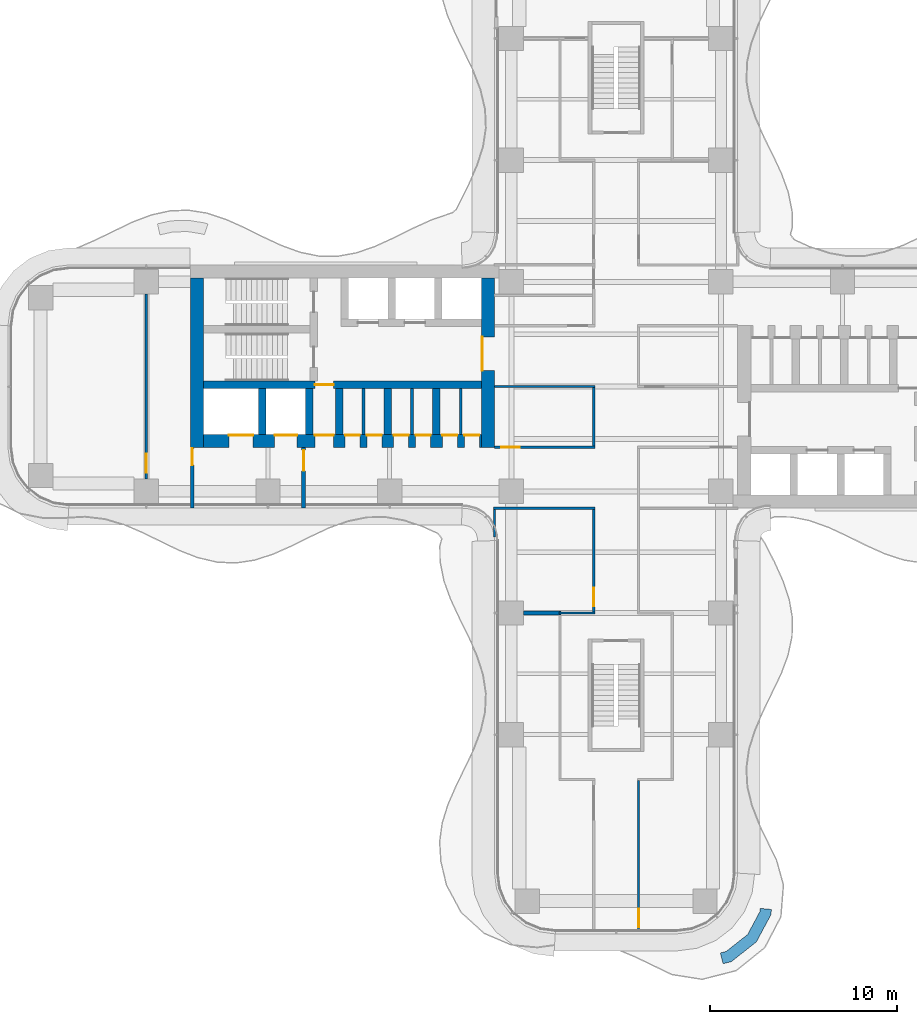
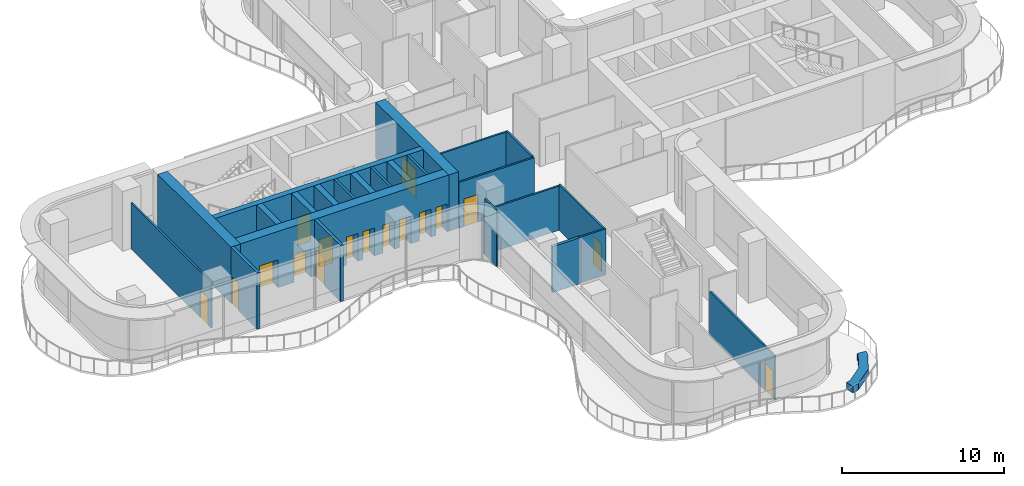
# One storey, part 18 of 23: 25 walls, 17 doors, 17 openings.
"""IFC4 building model written with IfcOpenShell, lengths in metres."""

from ifc_helpers import new_model, si_unit, direction, frame, frame_2d, origin, place, context, subcontext, project, spatial, polyline, rectangle, outline, extrude, source, transform, mapped, material, layer, layer_set, type_object, element, fill, save


model = new_model("IFC4")

# Units and contexts
model_context = context("Model", 3, precision=1e-05, world=origin(), true_north=direction((0.0, 1.0)))
body_context = subcontext(model_context, "Body", "Model", "MODEL_VIEW")
ifc_project = project(units=[si_unit("LENGTHUNIT", "METRE"), si_unit("AREAUNIT", "SQUARE_METRE"), si_unit("VOLUMEUNIT", "CUBIC_METRE"), si_unit("PLANEANGLEUNIT", "RADIAN"), si_unit("MASSUNIT", "GRAM", prefix="KILO")], contexts=[model_context])

# Site, building, storey
site_placement = place(None, origin())
site = spatial("IfcSite", under=ifc_project, at=site_placement, CompositionType="ELEMENT")
building_placement = place(site_placement, origin())
building = spatial("IfcBuilding", under=site, at=building_placement, Name="Trellis Farm Tower", CompositionType="ELEMENT")
storey_placement = place(building_placement, frame((0.0, 0.0, 120.0)))
storey = spatial("IfcBuildingStorey", under=building, at=storey_placement, Name="L25", CompositionType="ELEMENT", Elevation=120.0)

# Wall
ifc_material_1 = material(Name="Sandstone faced masonry planter", Category="masonry")
ifc_layer_1 = layer(ifc_material_1, 0.60009765625)
ifc_layer_set_1 = layer_set([ifc_layer_1], Name="PLANTER BED 600")
wall_type_1 = type_object("IfcWallType", Name="PLANTER BED 600", PredefinedType="USERDEFINED", material=ifc_layer_set_1)
wall_1_placement = place(storey_placement, origin())
element("IfcWall", 1, at=wall_1_placement, inside=storey, type_object=wall_type_1, Name="PLANTER bed", ObjectType="PLANTER", PredefinedType="USERDEFINED", context=body_context, shape_type="SweptSolid", body=[
    extrude(outline(polyline([(7.49853515625, -29.673583984375), (6.1552734375, -30.734375), (5.717041015625, -30.843505859375), (5.572265625, -30.26123046875), (5.885009765625, -30.183349609375), (7.028564453125, -29.2802734375), (7.688232421875, -28.0478515625), (7.70263671875, -27.887451171875), (8.30029296875, -27.940673828125), (8.275146484375, -28.22314453125), (7.49853515625, -29.673583984375)])), origin(), (0.0, 0.0, 1.0), 0.5),
])

# Wall, opening, door
ifc_material_2 = material(Name="Concrete C70/85", Category="concrete")
ifc_layer_2 = layer(ifc_material_2, 0.699951171875)
ifc_layer_set_2 = layer_set([ifc_layer_2], Name="CORE OUTER WALL 700 CONCRETE C70/85")
wall_type_2 = type_object("IfcWallType", Name="CORE OUTER WALL 700 CONCRETE C70/85", PredefinedType="SHEAR", material=ifc_layer_set_2)
shared_shape_1 = source(origin(), body_context, "Body", "SweptSolid", [
    extrude(rectangle(XDim=9.050048828125, YDim=0.699951171875, at=frame_2d((4.52490234375, 0.0))), origin(), (0.0, 0.0, 1.0), 4.25),
])
wall_2_placement = place(storey_placement, frame((-6.85009765625, 5.800048828125, 0.0), z_axis=(0.0, 0.0, 1.0), x_axis=(0.0, -1.0, 0.0)))
wall_2 = element("IfcWall", 2, at=wall_2_placement, inside=storey, type_object=wall_type_2, Name="Core wall", PredefinedType="SHEAR", context=body_context, shape_type="MappedRepresentation", body=[
    mapped(shared_shape_1, transform((0.0, 0.0, 0.0))),
])
shared_shape_2 = source(origin(), body_context, "Body", "SweptSolid", [
    extrude(rectangle(XDim=1.800048828125, YDim=2.10009765625, at=frame_2d((0.89990234375, 1.050048828125))), frame((0.0, 0.360107421875, 0.0), z_axis=(0.0, -1.0, 0.0), x_axis=(1.0, 0.0, 0.0)), (0.0, 0.0, 1.0), 0.72021484375),
])
opening_1_placement = place(wall_2_placement, frame((3.14990234375, 0.0, 0.0)))
opening_1 = element("IfcOpeningElement", 3, at=opening_1_placement, cuts=wall_2, Name="Opening DC87", PredefinedType="OPENING", context=body_context, shape_type="MappedRepresentation", body=[
    mapped(shared_shape_2, transform((0.0, 0.0, 0.0))),
])
ifc_material_3 = material(Name="Steel", Category="steel")
door_type_1 = type_object("IfcDoorType", Name="CORE FIRE DOOR DOUBLE 1800 X 2100", OperationType="DOUBLE_DOOR_SINGLE_SWING", PredefinedType="DOOR", material=ifc_material_3)
shared_shape_3 = source(origin(), body_context, "Body", "SweptSolid", [
    extrude(rectangle(XDim=1.800048828125, YDim=2.10009765625, at=frame_2d((0.89990234375, 1.050048828125))), frame((0.0, -0.27490234375, 0.0), z_axis=(0.0, -1.0, 0.0), x_axis=(1.0, 0.0, 0.0)), (0.0, 0.0, 1.0), 0.050048828125),
])
door_1_placement = place(opening_1_placement, origin())
door_1 = element("IfcDoor", 4, at=door_1_placement, inside=storey, type_object=door_type_1, Name="Core door", OperationType="DOUBLE_DOOR_SINGLE_SWING", OverallHeight=2.10009765625, OverallWidth=1.800048828125, PredefinedType="DOOR", context=body_context, shape_type="MappedRepresentation", body=[
    mapped(shared_shape_3, transform((0.0, 0.0, 0.0))),
])
fill(opening_1, door_1)

# Walls
wall_3_placement = place(storey_placement, frame((-22.39990234375, 5.800048828125, 0.0), z_axis=(0.0, 0.0, 1.0), x_axis=(0.0, -1.0, 0.0)))
element("IfcWall", 5, at=wall_3_placement, inside=storey, type_object=wall_type_2, Name="Core wall", PredefinedType="SHEAR", context=body_context, shape_type="MappedRepresentation", body=[
    mapped(shared_shape_1, transform((0.0, 0.0, 0.0))),
])
ifc_layer_3 = layer(ifc_material_2, 0.39990234375)
ifc_layer_set_3 = layer_set([ifc_layer_3], Name="CORE INNER WALL 400 CONCRETE C70/85")
wall_type_3 = type_object("IfcWallType", Name="CORE INNER WALL 400 CONCRETE C70/85", PredefinedType="SHEAR", material=ifc_layer_set_3)
shared_shape_4 = source(origin(), body_context, "Body", "SweptSolid", [
    extrude(rectangle(XDim=2.449951171875, YDim=0.39990234375, at=frame_2d((1.22509765625, 0.0))), origin(), (0.0, 0.0, 1.0), 4.25),
])
for number, where, z_axis, x_axis, name in (
    (6, (-9.60009765625, -0.10009765625, 0.0), (0.0, 0.0, 1.0), (0.0, -1.0, 0.0), "Core wall"),
    (7, (-12.199951171875, -0.10009765625, 0.0), (0.0, 0.0, 1.0), (0.0, -1.0, 0.0), "Core wall"),
    (8, (-14.800048828125, -0.10009765625, 0.0), (0.0, 0.0, 1.0), (0.0, -1.0, 0.0), "Core wall"),
    (9, (-16.39990234375, -0.10009765625, 0.0), (0.0, 0.0, 1.0), (0.0, -1.0, 0.0), "Core wall"),
    (10, (-18.89990234375, -0.10009765625, 0.0), (0.0, 0.0, 1.0), (0.0, -1.0, 0.0), "Core wall"),
):
    element("IfcWall", number, at=place(storey_placement, frame(where, z_axis=z_axis, x_axis=x_axis)), inside=storey, type_object=wall_type_3, Name=name, PredefinedType="SHEAR", context=body_context, shape_type="MappedRepresentation", body=[
        mapped(shared_shape_4, transform((0.0, 0.0, 0.0))),
    ])

# Wall, opening, door
ifc_material_4 = material(Name="Masonry blockwork", Category="masonry")
ifc_layer_4 = layer(ifc_material_4, 0.199951171875)
ifc_layer_set_4 = layer_set([ifc_layer_4], Name="FIRE LOBBY PARTITION 200 BLOCKWORK")
wall_type_4 = type_object("IfcWallType", Name="FIRE LOBBY PARTITION 200 BLOCKWORK", PredefinedType="PARTITIONING", material=ifc_layer_set_4)
shared_shape_5 = source(origin(), body_context, "Body", "SweptSolid", [
    extrude(rectangle(XDim=3.25, YDim=0.199951171875, at=frame_2d((1.625, 0.0))), origin(), (0.0, 0.0, 1.0), 4.25),
])
wall_4_placement = place(storey_placement, frame((-16.699951171875, -3.25, 0.0), z_axis=(0.0, 0.0, 1.0), x_axis=(0.0, -1.0, 0.0)))
wall_4 = element("IfcWall", 11, at=wall_4_placement, inside=storey, type_object=wall_type_4, Name="Fire-fighting lobby partition", PredefinedType="PARTITIONING", context=body_context, shape_type="MappedRepresentation", body=[
    mapped(shared_shape_5, transform((0.0, 0.0, 0.0))),
])
shared_shape_6 = source(origin(), body_context, "Body", "SweptSolid", [
    extrude(rectangle(XDim=1.10009765625, YDim=2.10009765625, at=frame_2d((0.550048828125, 1.050048828125))), frame((0.0, 0.110107421875, 0.0), z_axis=(0.0, -1.0, 0.0), x_axis=(1.0, 0.0, 0.0)), (0.0, 0.0, 1.0), 0.22021484375),
])
opening_2_placement = place(wall_4_placement, frame((0.14990234375, 0.0, 0.0)))
opening_2 = element("IfcOpeningElement", 12, at=opening_2_placement, cuts=wall_4, Name="Opening DC93", PredefinedType="OPENING", context=body_context, shape_type="MappedRepresentation", body=[
    mapped(shared_shape_6, transform((0.0, 0.0, 0.0))),
])
door_type_2 = type_object("IfcDoorType", Name="CORE FIRE DOOR 1100 X 2100", OperationType="NOTDEFINED", PredefinedType="DOOR", material=ifc_material_3)
shared_shape_7 = source(origin(), body_context, "Body", "SweptSolid", [
    extrude(rectangle(XDim=1.10009765625, YDim=2.10009765625, at=frame_2d((0.550048828125, 1.050048828125))), frame((0.0, 0.02490234375, 0.0), z_axis=(0.0, -1.0, 0.0), x_axis=(1.0, 0.0, 0.0)), (0.0, 0.0, 1.0), 0.050048828125),
])
door_2_placement = place(opening_2_placement, origin())
door_2 = element("IfcDoor", 13, at=door_2_placement, inside=storey, type_object=door_type_2, Name="Core door", OperationType="SINGLE_SWING_RIGHT", OverallHeight=2.10009765625, OverallWidth=1.10009765625, PredefinedType="DOOR", context=body_context, shape_type="MappedRepresentation", body=[
    mapped(shared_shape_7, transform((0.0, 0.0, 0.0))),
])
fill(opening_2, door_2)

wall_5_placement = place(storey_placement, frame((-22.64990234375, -3.25, 0.0), z_axis=(0.0, 0.0, 1.0), x_axis=(0.0, -1.0, 0.0)))
wall_5 = element("IfcWall", 14, at=wall_5_placement, inside=storey, type_object=wall_type_4, Name="Fire-fighting lobby partition", PredefinedType="PARTITIONING", context=body_context, shape_type="MappedRepresentation", body=[
    mapped(shared_shape_5, transform((0.0, 0.0, 0.0))),
])
shared_shape_8 = source(origin(), body_context, "Body", "SweptSolid", [
    extrude(rectangle(XDim=0.89990234375, YDim=2.10009765625, at=frame_2d((0.449951171875, 1.050048828125))), frame((0.0, 0.110107421875, 0.0), z_axis=(0.0, -1.0, 0.0), x_axis=(1.0, 0.0, 0.0)), (0.0, 0.0, 1.0), 0.22021484375),
])
opening_3_placement = place(wall_5_placement, frame((0.050048828125, 0.0, 0.0)))
opening_3 = element("IfcOpeningElement", 15, at=opening_3_placement, cuts=wall_5, Name="Opening DC94", PredefinedType="OPENING", context=body_context, shape_type="MappedRepresentation", body=[
    mapped(shared_shape_8, transform((0.0, 0.0, 0.0))),
])
door_type_3 = type_object("IfcDoorType", Name="CORE FIRE DOOR 900 X 2100", OperationType="NOTDEFINED", PredefinedType="DOOR", material=ifc_material_3)
shared_shape_9 = source(origin(), body_context, "Body", "SweptSolid", [
    extrude(rectangle(XDim=0.89990234375, YDim=2.10009765625, at=frame_2d((0.449951171875, 1.050048828125))), frame((0.0, 0.02490234375, 0.0), z_axis=(0.0, -1.0, 0.0), x_axis=(1.0, 0.0, 0.0)), (0.0, 0.0, 1.0), 0.050048828125),
])
door_3_placement = place(opening_3_placement, origin())
door_3 = element("IfcDoor", 16, at=door_3_placement, inside=storey, type_object=door_type_3, Name="Core door", OperationType="SINGLE_SWING_RIGHT", OverallHeight=2.10009765625, OverallWidth=0.89990234375, PredefinedType="DOOR", context=body_context, shape_type="MappedRepresentation", body=[
    mapped(shared_shape_9, transform((0.0, 0.0, 0.0))),
])
fill(opening_3, door_3)

# Wall, openings, doors
shared_shape_10 = source(origin(), body_context, "Body", "SweptSolid", [
    extrude(rectangle(XDim=14.85009765625, YDim=0.699951171875, at=frame_2d((7.425048828125, 0.0))), origin(), (0.0, 0.0, 1.0), 4.25),
])
wall_6_placement = place(storey_placement, frame((-7.199951171875, -2.89990234375, 0.0), z_axis=(0.0, 0.0, 1.0), x_axis=(-1.0, 0.0, 0.0)))
wall_6 = element("IfcWall", 17, at=wall_6_placement, inside=storey, type_object=wall_type_2, Name="Core wall", PredefinedType="SHEAR", context=body_context, shape_type="MappedRepresentation", body=[
    mapped(shared_shape_10, transform((0.0, 0.0, 0.0))),
])
shared_shape_11 = source(origin(), body_context, "Body", "SweptSolid", [
    extrude(rectangle(XDim=1.300048828125, YDim=2.10009765625, at=frame_2d((0.64990234375, 1.050048828125))), frame((0.0, 0.360107421875, 0.0), z_axis=(0.0, -1.0, 0.0), x_axis=(1.0, 0.0, 0.0)), (0.0, 0.0, 1.0), 0.72021484375),
])
opening_4_placement = place(wall_6_placement, frame((12.199951171875, 0.0, 0.0)))
opening_4 = element("IfcOpeningElement", 18, at=opening_4_placement, cuts=wall_6, Name="Opening LD15", PredefinedType="OPENING", context=body_context, shape_type="MappedRepresentation", body=[
    mapped(shared_shape_11, transform((0.0, 0.0, 0.0))),
])
shared_shape_12 = source(origin(), body_context, "Body", "SweptSolid", [
    extrude(rectangle(XDim=1.199951171875, YDim=2.10009765625, at=frame_2d((0.60009765625, 1.050048828125))), frame((0.0, 0.360107421875, 0.0), z_axis=(0.0, -1.0, 0.0), x_axis=(1.0, 0.0, 0.0)), (0.0, 0.0, 1.0), 0.72021484375),
])
opening_5_placement = place(wall_6_placement, frame((9.85009765625, 0.0, 0.0)))
opening_5 = element("IfcOpeningElement", 19, at=opening_5_placement, cuts=wall_6, Name="Opening LD16", PredefinedType="OPENING", context=body_context, shape_type="MappedRepresentation", body=[
    mapped(shared_shape_12, transform((0.0, 0.0, 0.0))),
])
shared_shape_13 = source(origin(), body_context, "Body", "SweptSolid", [
    extrude(rectangle(XDim=1.0, YDim=2.10009765625, at=frame_2d((0.5, 1.050048828125))), frame((0.0, 0.360107421875, 0.0), z_axis=(0.0, -1.0, 0.0), x_axis=(1.0, 0.0, 0.0)), (0.0, 0.0, 1.0), 0.72021484375),
])
opening_6_placement = place(wall_6_placement, frame((7.89990234375, 0.0, 0.0)))
opening_6 = element("IfcOpeningElement", 20, at=opening_6_placement, cuts=wall_6, Name="Opening DC92", PredefinedType="OPENING", context=body_context, shape_type="MappedRepresentation", body=[
    mapped(shared_shape_13, transform((0.0, 0.0, 0.0))),
])
shared_shape_14 = source(origin(), body_context, "Body", "SweptSolid", [
    extrude(rectangle(XDim=0.800048828125, YDim=2.10009765625, at=frame_2d((0.39990234375, 1.050048828125))), frame((0.0, 0.360107421875, 0.0), z_axis=(0.0, -1.0, 0.0), x_axis=(1.0, 0.0, 0.0)), (0.0, 0.0, 1.0), 0.72021484375),
])
opening_7_placement = place(wall_6_placement, frame((0.112548828125, 0.0, 0.0)))
opening_7 = element("IfcOpeningElement", 21, at=opening_7_placement, cuts=wall_6, Name="Opening DC95", PredefinedType="OPENING", context=body_context, shape_type="MappedRepresentation", body=[
    mapped(shared_shape_14, transform((0.0, 0.0, 0.0))),
])
opening_8_placement = place(wall_6_placement, frame((1.28759765625, 0.0, 0.0)))
opening_8 = element("IfcOpeningElement", 22, at=opening_8_placement, cuts=wall_6, Name="Opening DC102", PredefinedType="OPENING", context=body_context, shape_type="MappedRepresentation", body=[
    mapped(shared_shape_14, transform((0.0, 0.0, 0.0))),
])
opening_9_placement = place(wall_6_placement, frame((2.71240234375, 0.0, 0.0)))
opening_9 = element("IfcOpeningElement", 23, at=opening_9_placement, cuts=wall_6, Name="Opening DC107", PredefinedType="OPENING", context=body_context, shape_type="MappedRepresentation", body=[
    mapped(shared_shape_14, transform((0.0, 0.0, 0.0))),
])
opening_10_placement = place(wall_6_placement, frame((3.887451171875, 0.0, 0.0)))
opening_10 = element("IfcOpeningElement", 24, at=opening_10_placement, cuts=wall_6, Name="Opening DC114", PredefinedType="OPENING", context=body_context, shape_type="MappedRepresentation", body=[
    mapped(shared_shape_14, transform((0.0, 0.0, 0.0))),
])
opening_11_placement = place(wall_6_placement, frame((5.3125, 0.0, 0.0)))
opening_11 = element("IfcOpeningElement", 25, at=opening_11_placement, cuts=wall_6, Name="Opening DC119", PredefinedType="OPENING", context=body_context, shape_type="MappedRepresentation", body=[
    mapped(shared_shape_14, transform((0.0, 0.0, 0.0))),
])
opening_12_placement = place(wall_6_placement, frame((6.487548828125, 0.0, 0.0)))
opening_12 = element("IfcOpeningElement", 26, at=opening_12_placement, cuts=wall_6, Name="Opening DC126", PredefinedType="OPENING", context=body_context, shape_type="MappedRepresentation", body=[
    mapped(shared_shape_14, transform((0.0, 0.0, 0.0))),
])
door_type_4 = type_object("IfcDoorType", Name="CORE FIRE DOOR 1000 X 2100", OperationType="NOTDEFINED", PredefinedType="DOOR", material=ifc_material_3)
shared_shape_15 = source(origin(), body_context, "Body", "SweptSolid", [
    extrude(rectangle(XDim=1.0, YDim=2.10009765625, at=frame_2d((0.5, 1.050048828125))), frame((0.0, -0.27490234375, 0.0), z_axis=(0.0, -1.0, 0.0), x_axis=(1.0, 0.0, 0.0)), (0.0, 0.0, 1.0), 0.050048828125),
])
door_4_placement = place(opening_6_placement, origin())
door_4 = element("IfcDoor", 27, at=door_4_placement, inside=storey, type_object=door_type_4, Name="Core door", OperationType="SINGLE_SWING_LEFT", OverallHeight=2.10009765625, OverallWidth=1.0, PredefinedType="DOOR", context=body_context, shape_type="MappedRepresentation", body=[
    mapped(shared_shape_15, transform((0.0, 0.0, 0.0))),
])
fill(opening_6, door_4)
ifc_material_5 = material(Name="Stainless steel", Category="steel")
door_type_5 = type_object("IfcDoorType", Name="LIFT LANDING DOOR 1300 X 2100", OperationType="DOUBLE_DOOR_SLIDING", PredefinedType="DOOR", material=ifc_material_5)
shared_shape_16 = source(origin(), body_context, "Body", "SweptSolid", [
    extrude(rectangle(XDim=1.300048828125, YDim=2.10009765625, at=frame_2d((0.64990234375, 1.050048828125))), frame((0.0, -0.27490234375, 0.0), z_axis=(0.0, -1.0, 0.0), x_axis=(1.0, 0.0, 0.0)), (0.0, 0.0, 1.0), 0.050048828125),
])
door_5_placement = place(opening_4_placement, origin())
door_5 = element("IfcDoor", 28, at=door_5_placement, inside=storey, type_object=door_type_5, Name="Lift landing door", OperationType="DOUBLE_DOOR_SLIDING", OverallHeight=2.10009765625, OverallWidth=1.300048828125, PredefinedType="DOOR", context=body_context, shape_type="MappedRepresentation", body=[
    mapped(shared_shape_16, transform((0.0, 0.0, 0.0))),
])
fill(opening_4, door_5)
door_type_6 = type_object("IfcDoorType", Name="LIFT LANDING DOOR 1200 X 2100", OperationType="DOUBLE_DOOR_SLIDING", PredefinedType="DOOR", material=ifc_material_5)
shared_shape_17 = source(origin(), body_context, "Body", "SweptSolid", [
    extrude(rectangle(XDim=1.199951171875, YDim=2.10009765625, at=frame_2d((0.60009765625, 1.050048828125))), frame((0.0, -0.27490234375, 0.0), z_axis=(0.0, -1.0, 0.0), x_axis=(1.0, 0.0, 0.0)), (0.0, 0.0, 1.0), 0.050048828125),
])
door_6_placement = place(opening_5_placement, origin())
door_6 = element("IfcDoor", 29, at=door_6_placement, inside=storey, type_object=door_type_6, Name="Lift landing door", OperationType="DOUBLE_DOOR_SLIDING", OverallHeight=2.10009765625, OverallWidth=1.199951171875, PredefinedType="DOOR", context=body_context, shape_type="MappedRepresentation", body=[
    mapped(shared_shape_17, transform((0.0, 0.0, 0.0))),
])
fill(opening_5, door_6)
door_type_7 = type_object("IfcDoorType", Name="CORE FIRE DOOR 800 X 2100", OperationType="NOTDEFINED", PredefinedType="DOOR", material=ifc_material_3)
shared_shape_18 = source(origin(), body_context, "Body", "SweptSolid", [
    extrude(rectangle(XDim=0.800048828125, YDim=2.10009765625, at=frame_2d((0.39990234375, 1.050048828125))), frame((0.0, -0.27490234375, 0.0), z_axis=(0.0, -1.0, 0.0), x_axis=(1.0, 0.0, 0.0)), (0.0, 0.0, 1.0), 0.050048828125),
])
door_7_placement = place(opening_7_placement, origin())
door_7 = element("IfcDoor", 30, at=door_7_placement, inside=storey, type_object=door_type_7, Name="Core door", OperationType="SINGLE_SWING_LEFT", OverallHeight=2.10009765625, OverallWidth=0.800048828125, PredefinedType="DOOR", context=body_context, shape_type="MappedRepresentation", body=[
    mapped(shared_shape_18, transform((0.0, 0.0, 0.0))),
])
fill(opening_7, door_7)
door_8_placement = place(opening_8_placement, origin())
door_8 = element("IfcDoor", 31, at=door_8_placement, inside=storey, type_object=door_type_7, Name="Core door", OperationType="SINGLE_SWING_RIGHT", OverallHeight=2.10009765625, OverallWidth=0.800048828125, PredefinedType="DOOR", context=body_context, shape_type="MappedRepresentation", body=[
    mapped(shared_shape_18, transform((0.0, 0.0, 0.0))),
])
fill(opening_8, door_8)
door_9_placement = place(opening_9_placement, origin())
door_9 = element("IfcDoor", 32, at=door_9_placement, inside=storey, type_object=door_type_7, Name="Core door", OperationType="SINGLE_SWING_LEFT", OverallHeight=2.10009765625, OverallWidth=0.800048828125, PredefinedType="DOOR", context=body_context, shape_type="MappedRepresentation", body=[
    mapped(shared_shape_18, transform((0.0, 0.0, 0.0))),
])
fill(opening_9, door_9)
door_10_placement = place(opening_10_placement, origin())
door_10 = element("IfcDoor", 33, at=door_10_placement, inside=storey, type_object=door_type_7, Name="Core door", OperationType="SINGLE_SWING_RIGHT", OverallHeight=2.10009765625, OverallWidth=0.800048828125, PredefinedType="DOOR", context=body_context, shape_type="MappedRepresentation", body=[
    mapped(shared_shape_18, transform((0.0, 0.0, 0.0))),
])
fill(opening_10, door_10)
door_11_placement = place(opening_11_placement, origin())
door_11 = element("IfcDoor", 34, at=door_11_placement, inside=storey, type_object=door_type_7, Name="Core door", OperationType="SINGLE_SWING_LEFT", OverallHeight=2.10009765625, OverallWidth=0.800048828125, PredefinedType="DOOR", context=body_context, shape_type="MappedRepresentation", body=[
    mapped(shared_shape_18, transform((0.0, 0.0, 0.0))),
])
fill(opening_11, door_11)
door_12_placement = place(opening_12_placement, origin())
door_12 = element("IfcDoor", 35, at=door_12_placement, inside=storey, type_object=door_type_7, Name="Core door", OperationType="SINGLE_SWING_RIGHT", OverallHeight=2.10009765625, OverallWidth=0.800048828125, PredefinedType="DOOR", context=body_context, shape_type="MappedRepresentation", body=[
    mapped(shared_shape_18, transform((0.0, 0.0, 0.0))),
])
fill(opening_12, door_12)

# Wall, opening, door
shared_shape_19 = source(origin(), body_context, "Body", "SweptSolid", [
    extrude(rectangle(XDim=14.85009765625, YDim=0.39990234375, at=frame_2d((7.425048828125, 0.0))), origin(), (0.0, 0.0, 1.0), 4.25),
])
wall_7_placement = place(storey_placement, frame((-7.199951171875, 0.10009765625, 0.0), z_axis=(0.0, 0.0, 1.0), x_axis=(-1.0, 0.0, 0.0)))
wall_7 = element("IfcWall", 36, at=wall_7_placement, inside=storey, type_object=wall_type_3, Name="Core wall", PredefinedType="SHEAR", context=body_context, shape_type="MappedRepresentation", body=[
    mapped(shared_shape_19, transform((0.0, 0.0, 0.0))),
])
shared_shape_20 = source(origin(), body_context, "Body", "SweptSolid", [
    extrude(rectangle(XDim=1.0, YDim=2.10009765625, at=frame_2d((0.5, 1.050048828125))), frame((0.0, 0.2099609375, 0.0), z_axis=(0.0, -1.0, 0.0), x_axis=(1.0, 0.0, 0.0)), (0.0, 0.0, 1.0), 0.419921875),
])
opening_13_placement = place(wall_7_placement, frame((7.89990234375, 0.0, 0.0)))
opening_13 = element("IfcOpeningElement", 37, at=opening_13_placement, cuts=wall_7, Name="Opening DC91", PredefinedType="OPENING", context=body_context, shape_type="MappedRepresentation", body=[
    mapped(shared_shape_20, transform((0.0, 0.0, 0.0))),
])
shared_shape_21 = source(origin(), body_context, "Body", "SweptSolid", [
    extrude(rectangle(XDim=1.0, YDim=2.10009765625, at=frame_2d((0.5, 1.050048828125))), frame((0.0, 0.02490234375, 0.0), z_axis=(0.0, -1.0, 0.0), x_axis=(1.0, 0.0, 0.0)), (0.0, 0.0, 1.0), 0.050048828125),
])
door_13_placement = place(opening_13_placement, origin())
door_13 = element("IfcDoor", 38, at=door_13_placement, inside=storey, type_object=door_type_4, Name="Core door", OperationType="SINGLE_SWING_RIGHT", OverallHeight=2.10009765625, OverallWidth=1.0, PredefinedType="DOOR", context=body_context, shape_type="MappedRepresentation", body=[
    mapped(shared_shape_21, transform((0.0, 0.0, 0.0))),
])
fill(opening_13, door_13)

# Walls
ifc_layer_5 = layer(ifc_material_4, 0.14990234375)
ifc_layer_set_5 = layer_set([ifc_layer_5], Name="CORE PARTITION 150 BLOCKWORK")
wall_type_5 = type_object("IfcWallType", Name="CORE PARTITION 150 BLOCKWORK", PredefinedType="PARTITIONING", material=ifc_layer_set_5)
shared_shape_22 = source(origin(), body_context, "Body", "SweptSolid", [
    extrude(rectangle(XDim=2.449951171875, YDim=0.14990234375, at=frame_2d((1.22509765625, 0.0))), origin(), (0.0, 0.0, 1.0), 4.25),
])
for number, where, z_axis, x_axis, name in (
    (39, (-8.300048828125, -0.10009765625, 0.0), (0.0, 0.0, 1.0), (0.0, -1.0, 0.0), "Core room partition"),
    (40, (-10.89990234375, -0.10009765625, 0.0), (0.0, 0.0, 1.0), (0.0, -1.0, 0.0), "Core room partition"),
    (41, (-13.5, -0.10009765625, 0.0), (0.0, 0.0, 1.0), (0.0, -1.0, 0.0), "Core room partition"),
):
    element("IfcWall", number, at=place(storey_placement, frame(where, z_axis=z_axis, x_axis=x_axis)), inside=storey, type_object=wall_type_5, Name=name, PredefinedType="PARTITIONING", context=body_context, shape_type="MappedRepresentation", body=[
        mapped(shared_shape_22, transform((0.0, 0.0, 0.0))),
    ])
ifc_material_6 = material(Name="Plasterboard on steel studs, mineral wool", Category="steel")
ifc_layer_6 = layer(ifc_material_6, 0.125)
ifc_layer_set_6 = layer_set([ifc_layer_6], Name="PARTITION 125 STUD EI 60")
wall_type_6 = type_object("IfcWallType", Name="PARTITION 125 STUD EI 60", PredefinedType="PARTITIONING", material=ifc_layer_set_6)
shared_shape_23 = source(origin(), body_context, "Body", "SweptSolid", [
    extrude(rectangle(XDim=3.125, YDim=0.125, at=frame_2d((1.5625, 0.0))), origin(), (0.0, 0.0, 1.0), 3.54638671875),
])
wall_8_placement = place(storey_placement, frame((-1.199951171875, -0.0625, 0.0), z_axis=(0.0, 0.0, 1.0), x_axis=(0.0, -1.0, 0.0)))
element("IfcWall", 42, at=wall_8_placement, inside=storey, type_object=wall_type_6, Name="Partition PW1", PredefinedType="PARTITIONING", context=body_context, shape_type="MappedRepresentation", body=[
    mapped(shared_shape_23, transform((0.0, 0.0, 0.0))),
])

# Wall, opening, door
shared_shape_24 = source(origin(), body_context, "Body", "SweptSolid", [
    extrude(rectangle(XDim=5.47509765625, YDim=0.125, at=frame_2d((2.737548828125, 0.0))), origin(), (0.0, 0.0, 1.0), 3.4677734375),
])
wall_9_placement = place(storey_placement, frame((-1.199951171875, -6.5625, 0.0), z_axis=(0.0, 0.0, 1.0), x_axis=(0.0, -1.0, 0.0)))
wall_9 = element("IfcWall", 43, at=wall_9_placement, inside=storey, type_object=wall_type_6, Name="Partition PW1", PredefinedType="PARTITIONING", context=body_context, shape_type="MappedRepresentation", body=[
    mapped(shared_shape_24, transform((0.0, 0.0, 0.0))),
])
shared_shape_25 = source(origin(), body_context, "Body", "SweptSolid", [
    extrude(rectangle(XDim=1.0, YDim=2.10009765625, at=frame_2d((0.5, 1.050048828125))), frame((0.0, 0.072509765625, 0.0), z_axis=(0.0, -1.0, 0.0), x_axis=(1.0, 0.0, 0.0)), (0.0, 0.0, 1.0), 0.14501953125),
])
opening_14_placement = place(wall_9_placement, frame((4.1875, 0.0, 0.0)))
opening_14 = element("IfcOpeningElement", 44, at=opening_14_placement, cuts=wall_9, Name="Opening D301", PredefinedType="OPENING", context=body_context, shape_type="MappedRepresentation", body=[
    mapped(shared_shape_25, transform((0.0, 0.0, 0.0))),
])
ifc_material_7 = material(Name="Fire-rated timber door leaf in a hollow metal frame", Category="wood")
door_type_8 = type_object("IfcDoorType", Name="DOOR 1000x2100 FD60", OperationType="NOTDEFINED", PredefinedType="DOOR", material=ifc_material_7)
door_14_placement = place(opening_14_placement, origin())
door_14 = element("IfcDoor", 45, at=door_14_placement, inside=storey, type_object=door_type_8, Name="Door D301", OperationType="SINGLE_SWING_RIGHT", OverallHeight=2.10009765625, OverallWidth=1.0, PredefinedType="DOOR", context=body_context, shape_type="MappedRepresentation", body=[
    mapped(shared_shape_21, transform((0.0, 0.0, 0.0))),
])
fill(opening_14, door_14)

# Walls
shared_shape_26 = source(origin(), body_context, "Body", "SweptSolid", [
    extrude(rectangle(XDim=1.468994140625, YDim=0.125, at=frame_2d((0.734375, 0.0))), origin(), (0.0, 0.0, 1.0), 4.25),
])
wall_10_placement = place(storey_placement, frame((-6.5, -6.5625, 0.0), z_axis=(0.0, 0.0, 1.0), x_axis=(0.0, -1.0, 0.0)))
element("IfcWall", 46, at=wall_10_placement, inside=storey, type_object=wall_type_6, Name="Partition PW1", PredefinedType="PARTITIONING", context=body_context, shape_type="MappedRepresentation", body=[
    mapped(shared_shape_26, transform((0.0, 0.0, 0.0))),
])
shared_shape_27 = source(origin(), body_context, "Body", "SweptSolid", [
    extrude(rectangle(XDim=1.925048828125, YDim=0.125, at=frame_2d((0.96240234375, 0.0))), origin(), (0.0, 0.0, 1.0), 3.4677734375),
])
wall_11_placement = place(storey_placement, frame((-3.0625, -12.10009765625, 0.0), z_axis=(0.0, 0.0, 1.0), x_axis=(1.0, 0.0, 0.0)))
element("IfcWall", 47, at=wall_11_placement, inside=storey, type_object=wall_type_6, Name="Partition PW1", PredefinedType="PARTITIONING", context=body_context, shape_type="MappedRepresentation", body=[
    mapped(shared_shape_27, transform((0.0, 0.0, 0.0))),
])

# Wall, opening, door
shared_shape_28 = source(origin(), body_context, "Body", "SweptSolid", [
    extrude(rectangle(XDim=5.362548828125, YDim=0.125, at=frame_2d((2.68115234375, 0.0))), origin(), (0.0, 0.0, 1.0), 3.4677734375),
])
wall_12_placement = place(storey_placement, frame((-1.137451171875, -3.25, 0.0), z_axis=(0.0, 0.0, 1.0), x_axis=(-1.0, 0.0, 0.0)))
wall_12 = element("IfcWall", 48, at=wall_12_placement, inside=storey, type_object=wall_type_6, Name="Partition PW1", PredefinedType="PARTITIONING", context=body_context, shape_type="MappedRepresentation", body=[
    mapped(shared_shape_28, transform((0.0, 0.0, 0.0))),
])
opening_15_placement = place(wall_12_placement, frame((4.012451171875, 0.0, 0.0)))
opening_15 = element("IfcOpeningElement", 49, at=opening_15_placement, cuts=wall_12, Name="Opening D103", PredefinedType="OPENING", context=body_context, shape_type="MappedRepresentation", body=[
    mapped(shared_shape_25, transform((0.0, 0.0, 0.0))),
])
door_type_9 = type_object("IfcDoorType", Name="DOOR 1000x2100 FD30S", OperationType="NOTDEFINED", PredefinedType="DOOR", material=ifc_material_7)
door_15_placement = place(opening_15_placement, origin())
door_15 = element("IfcDoor", 50, at=door_15_placement, inside=storey, type_object=door_type_9, Name="Door D103", OperationType="SINGLE_SWING_RIGHT", OverallHeight=2.10009765625, OverallWidth=1.0, PredefinedType="DOOR", context=body_context, shape_type="MappedRepresentation", body=[
    mapped(shared_shape_21, transform((0.0, 0.0, 0.0))),
])
fill(opening_15, door_15)

# Walls
wall_13_placement = place(storey_placement, frame((-1.137451171875, 0.0, 0.0), z_axis=(0.0, 0.0, 1.0), x_axis=(-1.0, 0.0, 0.0)))
element("IfcWall", 51, at=wall_13_placement, inside=storey, type_object=wall_type_6, Name="Partition PW1", PredefinedType="PARTITIONING", context=body_context, shape_type="MappedRepresentation", body=[
    mapped(shared_shape_28, transform((0.0, 0.0, 0.0))),
])
shared_shape_29 = source(origin(), body_context, "Body", "SweptSolid", [
    extrude(rectangle(XDim=5.425048828125, YDim=0.125, at=frame_2d((2.71240234375, 0.0))), origin(), (0.0, 0.0, 1.0), 3.330078125),
])
wall_14_placement = place(storey_placement, frame((-1.137451171875, -6.5, 0.0), z_axis=(0.0, 0.0, 1.0), x_axis=(-1.0, 0.0, 0.0)))
element("IfcWall", 52, at=wall_14_placement, inside=storey, type_object=wall_type_6, Name="Partition PW1", PredefinedType="PARTITIONING", context=body_context, shape_type="MappedRepresentation", body=[
    mapped(shared_shape_29, transform((0.0, 0.0, 0.0))),
])

# Wall, opening, door
shared_shape_30 = source(origin(), body_context, "Body", "SweptSolid", [
    extrude(rectangle(XDim=7.987548828125, YDim=0.125, at=frame_2d((3.99365234375, 0.0))), origin(), (0.0, 0.0, 1.0), 3.330078125),
])
wall_15_placement = place(storey_placement, frame((1.199951171875, -21.0625, 0.0), z_axis=(0.0, 0.0, 1.0), x_axis=(0.0, -1.0, 0.0)))
wall_15 = element("IfcWall", 53, at=wall_15_placement, inside=storey, type_object=wall_type_6, Name="Partition PW1", PredefinedType="PARTITIONING", context=body_context, shape_type="MappedRepresentation", body=[
    mapped(shared_shape_30, transform((0.0, 0.0, 0.0))),
])
opening_16_placement = place(wall_15_placement, frame((6.83740234375, 0.0, 0.0)))
opening_16 = element("IfcOpeningElement", 54, at=opening_16_placement, cuts=wall_15, Name="Opening D101", PredefinedType="OPENING", context=body_context, shape_type="MappedRepresentation", body=[
    mapped(shared_shape_25, transform((0.0, 0.0, 0.0))),
])
door_16_placement = place(opening_16_placement, origin())
door_16 = element("IfcDoor", 55, at=door_16_placement, inside=storey, type_object=door_type_9, Name="Door D101", OperationType="SINGLE_SWING_RIGHT", OverallHeight=2.10009765625, OverallWidth=1.0, PredefinedType="DOOR", context=body_context, shape_type="MappedRepresentation", body=[
    mapped(shared_shape_21, transform((0.0, 0.0, 0.0))),
])
fill(opening_16, door_16)

shared_shape_31 = source(origin(), body_context, "Body", "SweptSolid", [
    extrude(rectangle(XDim=9.89990234375, YDim=0.125, at=frame_2d((4.949951171875, 0.0))), origin(), (0.0, 0.0, 1.0), 3.4677734375),
])
wall_16_placement = place(storey_placement, frame((-25.10009765625, -4.949951171875, 0.0), z_axis=(0.0, 0.0, 1.0), x_axis=(0.0, 1.0, 0.0)))
wall_16 = element("IfcWall", 56, at=wall_16_placement, inside=storey, type_object=wall_type_6, Name="Partition PW1", PredefinedType="PARTITIONING", context=body_context, shape_type="MappedRepresentation", body=[
    mapped(shared_shape_31, transform((0.0, 0.0, 0.0))),
])
opening_17_placement = place(wall_16_placement, frame((0.35009765625, 0.0, 0.0)))
opening_17 = element("IfcOpeningElement", 57, at=opening_17_placement, cuts=wall_16, Name="Opening D102", PredefinedType="OPENING", context=body_context, shape_type="MappedRepresentation", body=[
    mapped(shared_shape_25, transform((0.0, 0.0, 0.0))),
])
door_17_placement = place(opening_17_placement, origin())
door_17 = element("IfcDoor", 58, at=door_17_placement, inside=storey, type_object=door_type_9, Name="Door D102", OperationType="SINGLE_SWING_LEFT", OverallHeight=2.10009765625, OverallWidth=1.0, PredefinedType="DOOR", context=body_context, shape_type="MappedRepresentation", body=[
    mapped(shared_shape_21, transform((0.0, 0.0, 0.0))),
])
fill(opening_17, door_17)

# Wall
ifc_material_8 = material(Name="Lightweight blockwork, plastered", Category="masonry")
ifc_layer_7 = layer(ifc_material_8, 0.199951171875)
ifc_layer_set_7 = layer_set([ifc_layer_7], Name="BLOCK WALL 200 EI 120")
wall_type_7 = type_object("IfcWallType", Name="BLOCK WALL 200 EI 120", PredefinedType="PARTITIONING", material=ifc_layer_set_7)
shared_shape_32 = source(origin(), body_context, "Body", "SweptSolid", [
    extrude(rectangle(XDim=2.012451171875, YDim=0.199951171875, at=frame_2d((1.00634765625, 0.0))), origin(), (0.0, 0.0, 1.0), 3.4677734375),
])
wall_17_placement = place(storey_placement, frame((-4.949951171875, -12.10009765625, 0.0), z_axis=(0.0, 0.0, 1.0), x_axis=(1.0, 0.0, 0.0)))
element("IfcWall", 59, at=wall_17_placement, inside=storey, type_object=wall_type_7, Name="Partition PW3", PredefinedType="PARTITIONING", context=body_context, shape_type="MappedRepresentation", body=[
    mapped(shared_shape_32, transform((0.0, 0.0, 0.0))),
])

save(model, "model.ifc")
